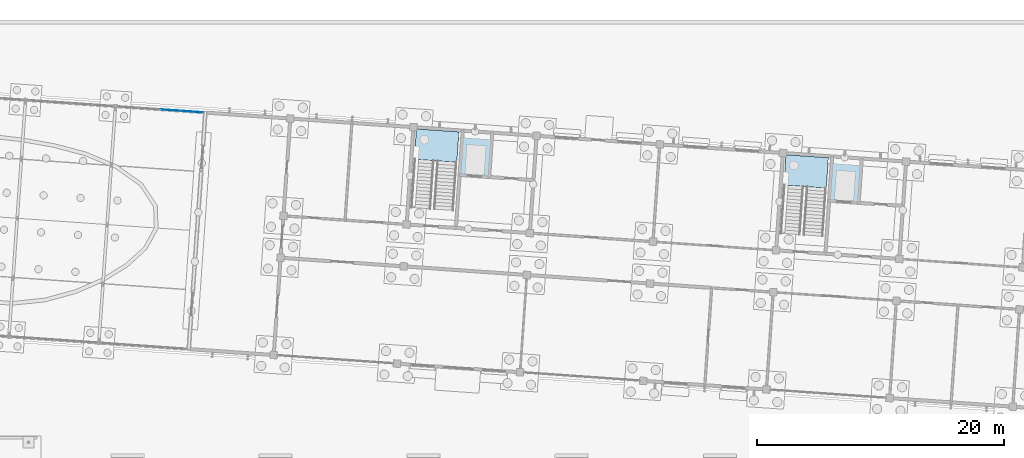
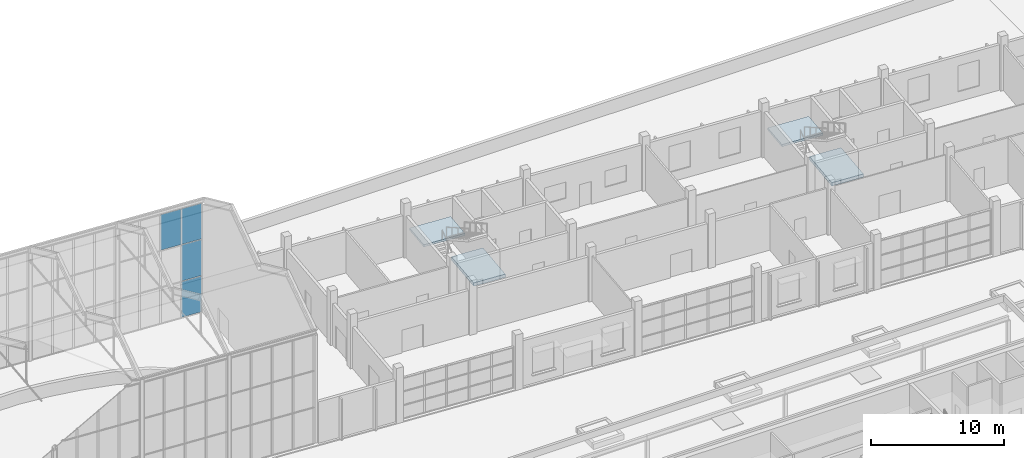
# One storey, part 73 of 157: 4 plates, 4 slabs, 3 elements without a shape of their own.
"""IFC4 building model written with IfcOpenShell, lengths in metres."""

import ifcopenshell
import ifcopenshell.guid

model = None  # the IFC model being written
_history = None  # IfcOwnerHistory: only IFC2X3 demands one
_inside = {}  # id of a spatial element -> (the spatial element, [elements in it])
_under = {}  # id of a project, library or spatial element -> (it, [spatial elements below it])
_declared = {}  # id of a project -> (the project, [libraries it declares])
_typed = {}  # id of a type object -> (the type object, [elements of that type])
_made_of = {}  # id of a material, layer set ... -> (it, [elements and type objects made of it])


def new_model(schema):
    """Start an empty IFC model of exactly this schema.

    Asked for "IFC4X3", IfcOpenShell would pick the latest addendum, in which some entities
    have other attributes; the version numbers below select the first issue.
    IFC2X3 requires an IfcOwnerHistory on every rooted entity: one is made here for all.
    """
    global model, _history
    if schema == "IFC4X3":
        model = ifcopenshell.file(schema_version=(4, 3, 0, 0))
    else:
        model = ifcopenshell.file(schema=schema)
    _inside.clear()
    _under.clear()
    _declared.clear()
    _typed.clear()
    _made_of.clear()
    _history = None
    if model.schema == "IFC2X3":
        org = make("IfcOrganization", Name="unknown")
        user = make(
            "IfcPersonAndOrganization",
            ThePerson=make("IfcPerson", FamilyName="unknown"),
            TheOrganization=org,
        )
        app = make(
            "IfcApplication",
            ApplicationDeveloper=org,
            Version="unknown",
            ApplicationFullName="unknown",
            ApplicationIdentifier="unknown",
        )
        _history = make(
            "IfcOwnerHistory",
            OwningUser=user,
            OwningApplication=app,
            ChangeAction="ADDED",
            CreationDate=0,
        )
    return model


def make(cls, **values):
    """One entity of the class cls with the attributes given. An attribute that is None is left unset."""
    return model.create_entity(
        cls, **{name: value for name, value in values.items() if value is not None}
    )


def rooted(cls, **values):
    """An entity with a GlobalId (a new one), such as an element, a storey or a relation."""
    return make(cls, GlobalId=ifcopenshell.guid.new(), OwnerHistory=_history, **values)


def si_unit(unit_type, name, prefix=None):
    """IfcSIUnit, for example si_unit("LENGTHUNIT", "METRE", prefix="MILLI")."""
    return make("IfcSIUnit", UnitType=unit_type, Prefix=prefix, Name=name)


def assignment(units):
    """IfcUnitAssignment: the units of a project."""
    return None if units is None else make("IfcUnitAssignment", Units=units)


def point(xyz):
    """IfcCartesianPoint."""
    return None if xyz is None else make("IfcCartesianPoint", Coordinates=xyz)


def direction(xyz):
    """IfcDirection."""
    return None if xyz is None else make("IfcDirection", DirectionRatios=xyz)


def frame(location, z_axis=None, x_axis=None):
    """IfcAxis2Placement3D, a coordinate frame: its origin and axes. An axis left out is left unset."""
    return make(
        "IfcAxis2Placement3D",
        Location=point(location),
        Axis=direction(z_axis),
        RefDirection=direction(x_axis),
    )


def frame_2d(location, x_axis=None):
    """IfcAxis2Placement2D, a coordinate frame in the plane: its origin and x axis."""
    return make(
        "IfcAxis2Placement2D", Location=point(location), RefDirection=direction(x_axis)
    )


def origin():
    """The frame at (0, 0, 0) with its axes left unset."""
    return frame((0.0, 0.0, 0.0))


def origin_2d():
    """The frame at (0, 0) in the plane with its x axis left unset."""
    return frame_2d((0.0, 0.0))


def place(relative_to, where):
    """IfcLocalPlacement: puts the frame where relative to a parent placement (None: the world)."""
    return make(
        "IfcLocalPlacement", PlacementRelTo=relative_to, RelativePlacement=where
    )


def context(
    kind, dimensions, precision=None, world=None, true_north=None, identifier=None
):
    """IfcGeometricRepresentationContext, for example the 3D "Model" context."""
    return make(
        "IfcGeometricRepresentationContext",
        ContextIdentifier=identifier,
        ContextType=kind,
        CoordinateSpaceDimension=dimensions,
        Precision=precision,
        WorldCoordinateSystem=world,
        TrueNorth=true_north,
    )


def subcontext(parent, identifier, kind, view, scale=None):
    """IfcGeometricRepresentationSubContext, for example "Body" below "Model"."""
    return make(
        "IfcGeometricRepresentationSubContext",
        ContextIdentifier=identifier,
        ContextType=kind,
        ParentContext=parent,
        TargetScale=scale,
        TargetView=view,
    )


def project(units=None, contexts=None):
    """IfcProject with its units and contexts."""
    return rooted(
        "IfcProject",
        Name="project",
        RepresentationContexts=contexts,
        UnitsInContext=assignment(units),
    )


def spatial(cls, under=None, at=None, **own):
    """A site, building, storey or space (cls), placed at a placement, below another one or the project."""
    s = rooted(cls, ObjectPlacement=at, **own)
    if under is not None:
        _under.setdefault(under.id(), (under, []))[1].append(s)
    return s


def polyline(points):
    """IfcPolyline through the points."""
    return make("IfcPolyline", Points=[point(p) for p in points])


def profile(cls, at=None, kind="AREA", **sizes):
    """A parametric profile (cls). Its sizes go by their IFC names, for example OverallWidth=200.0."""
    return make(cls, ProfileType=kind, Position=at, **sizes)


def rectangle(**sizes):
    """IfcRectangleProfileDef."""
    return profile("IfcRectangleProfileDef", **sizes)


def outline(outer, holes=None, kind="AREA"):
    """IfcArbitraryClosedProfileDef: a profile drawn as a closed curve; with holes, ...WithVoids."""
    if holes is None:
        return make("IfcArbitraryClosedProfileDef", ProfileType=kind, OuterCurve=outer)
    return make(
        "IfcArbitraryProfileDefWithVoids",
        ProfileType=kind,
        OuterCurve=outer,
        InnerCurves=holes,
    )


def extrude(swept, where, along, depth):
    """IfcExtrudedAreaSolid: the profile swept, set in the frame where, extruded along a direction by depth."""
    return make(
        "IfcExtrudedAreaSolid",
        SweptArea=swept,
        Position=where,
        ExtrudedDirection=direction(along),
        Depth=depth,
    )


def shape(context_of_items, identifier, shape_type, items):
    """IfcShapeRepresentation: the items that make up one representation, for example the "Body"."""
    return make(
        "IfcShapeRepresentation",
        ContextOfItems=context_of_items,
        RepresentationIdentifier=identifier,
        RepresentationType=shape_type,
        Items=items,
    )


def material(Name=None, Category=None):
    """IfcMaterial."""
    return make("IfcMaterial", Name=Name, Category=Category)


def layer(
    of_material, thickness, ventilated=None, Name=None, Category=None, Priority=None
):
    """IfcMaterialLayer: one layer of a wall or slab, of a material (None: an air gap)."""
    return make(
        "IfcMaterialLayer",
        Material=of_material,
        LayerThickness=thickness,
        IsVentilated=ventilated,
        Name=Name,
        Category=Category,
        Priority=Priority,
    )


def layer_set(layers, Name=None):
    """IfcMaterialLayerSet."""
    return make("IfcMaterialLayerSet", MaterialLayers=layers, LayerSetName=Name)


def made_of(thing, what):
    """Note that an element or type object is made of a material, layer set ...; save() writes the relation."""
    if what is not None:
        _made_of.setdefault(what.id(), (what, []))[1].append(thing)
    return thing


def type_object(cls, material=None, **own):
    """A type object (cls), such as IfcWallType, which elements share."""
    return made_of(rooted(cls, **own), material)


def element(
    cls,
    number,
    at=None,
    inside=None,
    cuts=None,
    type_object=None,
    material=None,
    context=None,
    identifier="Body",
    shape_type=None,
    held_by="IfcProductDefinitionShape",
    body=None,
    shapes=None,
    **own,
):
    """One element of the class cls, such as IfcWall. Its Tag is "e" and its number.

    at: its placement. inside: the storey or other place that contains it. cuts: it is an
    opening in that element (IfcRelVoidsElement). A single representation is given by context,
    identifier, shape_type and body (its items); several are given by shapes. held_by: the class
    of the entity that holds the representations. save() writes the other relations.
    """
    e = rooted(cls, Tag="e%d" % number, ObjectPlacement=at, **own)
    if body is not None:
        shapes = [shape(context, identifier, shape_type, body)]
    if shapes is not None:
        e.Representation = make(held_by, Representations=shapes)
    if inside is not None:
        _inside.setdefault(inside.id(), (inside, []))[1].append(e)
    if cuts is not None:
        rooted(
            "IfcRelVoidsElement", RelatingBuildingElement=cuts, RelatedOpeningElement=e
        )
    if type_object is not None:
        _typed.setdefault(type_object.id(), (type_object, []))[1].append(e)
    return made_of(e, material)


def aggregate(whole, parts):
    """IfcRelAggregates: a whole, such as a stair, and the parts it consists of."""
    return rooted("IfcRelAggregates", RelatingObject=whole, RelatedObjects=parts)


def save(model, path):
    """Write the relations noted so far, then the file.

    IfcRelAggregates (storeys below a building ...), IfcRelContainedInSpatialStructure (elements
    in a storey), IfcRelDefinesByType, IfcRelAssociatesMaterial and IfcRelDeclares: one each for
    every whole, place, type object, material and project.
    """
    for whole, parts in _under.values():
        aggregate(whole, parts)
    for where, things in _inside.values():
        rooted(
            "IfcRelContainedInSpatialStructure",
            RelatedElements=things,
            RelatingStructure=where,
        )
    for kind, things in _typed.values():
        rooted("IfcRelDefinesByType", RelatedObjects=things, RelatingType=kind)
    for what, things in _made_of.values():
        rooted("IfcRelAssociatesMaterial", RelatedObjects=things, RelatingMaterial=what)
    for by, libraries in _declared.values():
        rooted("IfcRelDeclares", RelatingContext=by, RelatedDefinitions=libraries)
    model.write(path)


model = new_model("IFC4")

# Units and contexts
model_context = context("Model", 3, precision=1e-05, world=origin(), true_north=direction((0.0, 1.0)))
body_context = subcontext(model_context, "Body", "Model", "MODEL_VIEW")
ifc_project = project(units=[si_unit("LENGTHUNIT", "METRE"), si_unit("AREAUNIT", "SQUARE_METRE"), si_unit("VOLUMEUNIT", "CUBIC_METRE"), si_unit("PLANEANGLEUNIT", "RADIAN"), si_unit("MASSUNIT", "GRAM", prefix="KILO")], contexts=[model_context])

# Site, building, storey
site_placement = place(None, origin())
site = spatial("IfcSite", under=ifc_project, at=site_placement, CompositionType="ELEMENT")
building_placement = place(site_placement, origin())
building = spatial("IfcBuilding", under=site, at=building_placement, Name="Windward Yard Aquatics Centre", CompositionType="ELEMENT")
storey_placement = place(building_placement, origin())
storey = spatial("IfcBuildingStorey", under=building, at=storey_placement, Name="L00", CompositionType="ELEMENT", Elevation=0.0)

# Curtain wall, plates
ifc_material_1 = material(Name="Aluminium curtain wall system", Category="aluminium")
curtain_wall_type = type_object("IfcCurtainWallType", Name="W curtain wall 1900", PredefinedType="NOTDEFINED", material=ifc_material_1)
curtain_wall_placement = place(storey_placement, origin())
curtain_wall = element("IfcCurtainWall", 1, at=curtain_wall_placement, inside=storey, type_object=curtain_wall_type, Name="Wing north glazing L00 4", PredefinedType="NOTDEFINED")
ifc_material_2 = material(Name="Double glazed unit")
ifc_layer_1 = layer(ifc_material_2, 0.028076171875)
ifc_layer_set_1 = layer_set([ifc_layer_1], Name="W CW panel IGU 28")
plate_type = type_object("IfcPlateType", Name="W CW panel IGU 28", PredefinedType="CURTAIN_PANEL", material=ifc_layer_set_1)
plate_1_placement = place(storey_placement, frame((99.54248046875, 136.69384765625, 6.761962890625), z_axis=(0.0, 0.0, 1.0), x_axis=(0.997564052754, -0.069756438069, 0.0)))
plate_1 = element("IfcPlate", 2, at=plate_1_placement, type_object=plate_type, Name="WCW1 panel 3.3", PredefinedType="CURTAIN_PANEL", context=body_context, shape_type="SweptSolid", body=[
    extrude(rectangle(XDim=1.69580078125, YDim=0.028076171875, at=origin_2d()), origin(), (0.0, 0.0, 1.0), 3.27587890625),
])
plate_2_placement = place(storey_placement, frame((101.279052734375, 136.572265625, 0.06005859375), z_axis=(0.0, 0.0, 1.0), x_axis=(0.997564052754, -0.069756438069, 0.0)))
plate_2 = element("IfcPlate", 3, at=plate_2_placement, type_object=plate_type, Name="WCW1 panel 4.1", PredefinedType="CURTAIN_PANEL", context=body_context, shape_type="SweptSolid", body=[
    extrude(rectangle(XDim=1.665771484375, YDim=0.028076171875, at=origin_2d()), origin(), (0.0, 0.0, 1.0), 3.27587890625),
])
plate_3_placement = place(storey_placement, frame((101.279052734375, 136.572265625, 3.39599609375), z_axis=(0.0, 0.0, 1.0), x_axis=(0.997564052754, -0.069756438069, 0.0)))
plate_3 = element("IfcPlate", 4, at=plate_3_placement, type_object=plate_type, Name="WCW1 panel 4.2", PredefinedType="CURTAIN_PANEL", context=body_context, shape_type="SweptSolid", body=[
    extrude(rectangle(XDim=1.665771484375, YDim=0.028076171875, at=origin_2d()), origin(), (0.0, 0.0, 1.0), 3.305908203125),
])
plate_4_placement = place(storey_placement, frame((101.279052734375, 136.572265625, 6.761962890625), z_axis=(0.0, 0.0, 1.0), x_axis=(0.997564052754, -0.069756438069, 0.0)))
plate_4 = element("IfcPlate", 5, at=plate_4_placement, type_object=plate_type, Name="WCW1 panel 4.3", PredefinedType="CURTAIN_PANEL", context=body_context, shape_type="SweptSolid", body=[
    extrude(rectangle(XDim=1.665771484375, YDim=0.028076171875, at=origin_2d()), origin(), (0.0, 0.0, 1.0), 3.27587890625),
])
aggregate(curtain_wall, [plate_1, plate_2, plate_3, plate_4])

# Slabs
ifc_material_3 = material(Name="Concrete C30/37", Category="concrete")
ifc_layer_2 = layer(ifc_material_3, 0.300048828125)
ifc_layer_set_2 = layer_set([ifc_layer_2], Name="W lift pit slab 300 Concrete C30/37")
slab_type_1 = type_object("IfcSlabType", Name="W lift pit slab 300 Concrete C30/37", PredefinedType="BASESLAB", material=ifc_layer_set_2)
slab_1_placement = place(storey_placement, frame((0.0, 0.0, -1.699951171875)))
element("IfcSlab", 6, at=slab_1_placement, inside=storey, type_object=slab_type_1, Name="W.PIT.SLAB.W", PredefinedType="BASESLAB", context=body_context, shape_type="SweptSolid", body=[
    extrude(outline(polyline([(122.783935546875, 131.33447265625), (125.427490234375, 131.149658203125), (125.696044921875, 134.990234375), (123.052490234375, 135.17529296875), (122.783935546875, 131.33447265625)])), origin(), (0.0, 0.0, 1.0), 0.300048828125),
])
slab_2_placement = place(storey_placement, frame((0.0, 0.0, -1.699951171875)))
element("IfcSlab", 7, at=slab_2_placement, inside=storey, type_object=slab_type_1, Name="W.PIT.SLAB.E", PredefinedType="BASESLAB", context=body_context, shape_type="SweptSolid", body=[
    extrude(outline(polyline([(152.710693359375, 129.24169921875), (155.3544921875, 129.056884765625), (155.622802734375, 132.897705078125), (152.9794921875, 133.08251953125), (152.710693359375, 129.24169921875)])), origin(), (0.0, 0.0, 1.0), 0.300048828125),
])

# Stair, slab
ifc_material_4 = material(Name="Concrete C35/45", Category="concrete")
stair_type = type_object("IfcStairType", Name="W exit stair 1600", PredefinedType="HALF_TURN_STAIR", material=ifc_material_4)
stair_1_placement = place(storey_placement, origin())
stair_1 = element("IfcStair", 8, at=stair_1_placement, inside=storey, type_object=stair_type, Name="W.ST.W.L00", PredefinedType="HALF_TURN_STAIR")
ifc_layer_3 = layer(ifc_material_4, 0.199951171875)
ifc_layer_set_3 = layer_set([ifc_layer_3], Name="W stair landing 200 Concrete C35/45")
slab_type_2 = type_object("IfcSlabType", Name="W stair landing 200 Concrete C35/45", PredefinedType="LANDING", material=ifc_layer_set_3)
slab_3_placement = place(storey_placement, frame((0.0, 0.0, 2.300048828125)))
slab_3 = element("IfcSlab", 9, at=slab_3_placement, type_object=slab_type_2, Name="ST-W landing 1", PredefinedType="LANDING", context=body_context, shape_type="SweptSolid", body=[
    extrude(outline(polyline([(119.246826171875, 132.719482421875), (122.6884765625, 132.47900390625), (122.860595703125, 134.93798828125), (119.4189453125, 135.1787109375), (119.246826171875, 132.719482421875)])), origin(), (0.0, 0.0, 1.0), 0.199951171875),
])
aggregate(stair_1, [slab_3])

stair_2_placement = place(storey_placement, origin())
stair_2 = element("IfcStair", 10, at=stair_2_placement, inside=storey, type_object=stair_type, Name="W.ST.E.L00", PredefinedType="HALF_TURN_STAIR")
slab_4_placement = place(storey_placement, frame((0.0, 0.0, 2.300048828125)))
slab_4 = element("IfcSlab", 11, at=slab_4_placement, type_object=slab_type_2, Name="ST-E landing 1", PredefinedType="LANDING", context=body_context, shape_type="SweptSolid", body=[
    extrude(outline(polyline([(149.173828125, 130.626953125), (152.615478515625, 130.38623046875), (152.787353515625, 132.84521484375), (149.345703125, 133.0859375), (149.173828125, 130.626953125)])), origin(), (0.0, 0.0, 1.0), 0.199951171875),
])
aggregate(stair_2, [slab_4])

save(model, "model.ifc")
